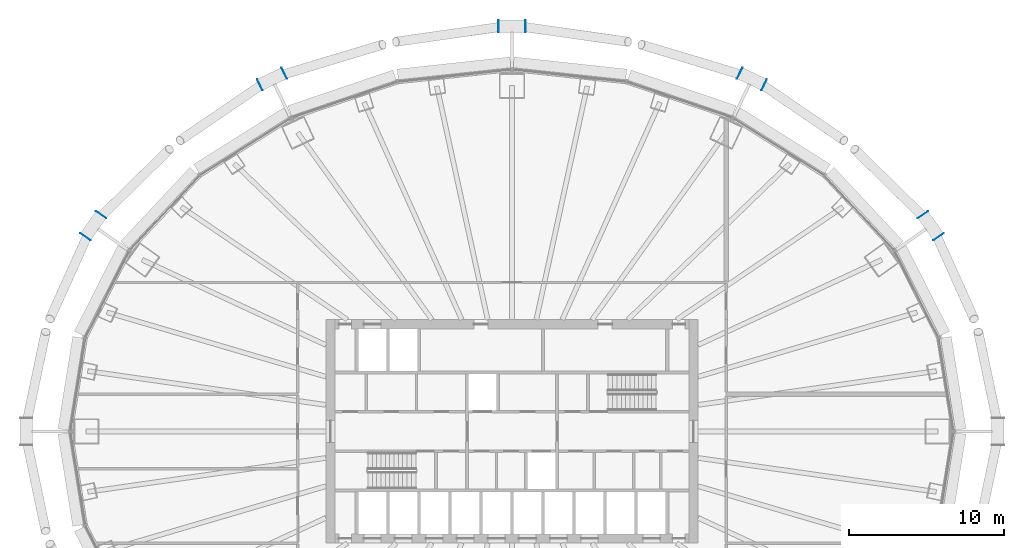
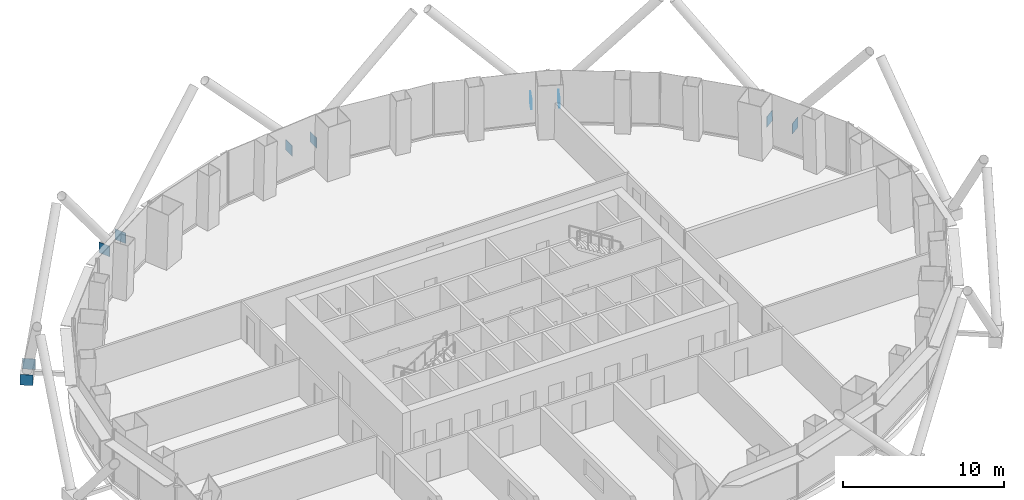
# One storey, part 12 of 16: 10 discrete accessories.
"""IFC4 building model written with IfcOpenShell, lengths in metres."""

from ifc_helpers import new_model, si_unit, direction, frame, origin, origin_2d, place, context, subcontext, project, spatial, rectangle, extrude, material, layer, layer_set, type_object, element, save


model = new_model("IFC4")

# Units and contexts
model_context = context("Model", 3, precision=1e-05, world=origin(), true_north=direction((0.0, 1.0)))
body_context = subcontext(model_context, "Body", "Model", "MODEL_VIEW")
ifc_project = project(units=[si_unit("LENGTHUNIT", "METRE"), si_unit("AREAUNIT", "SQUARE_METRE"), si_unit("VOLUMEUNIT", "CUBIC_METRE"), si_unit("PLANEANGLEUNIT", "RADIAN"), si_unit("MASSUNIT", "GRAM", prefix="KILO")], contexts=[model_context])

# Site, building, storey
site_placement = place(None, origin())
site = spatial("IfcSite", under=ifc_project, at=site_placement, CompositionType="ELEMENT")
building_placement = place(site_placement, origin())
building = spatial("IfcBuilding", under=site, at=building_placement, Name="Siaravel Broadcast Tower", CompositionType="ELEMENT")
storey_placement = place(building_placement, frame((0.0, 0.0, 28.699951171875)))
storey = spatial("IfcBuildingStorey", under=building, at=storey_placement, Name="L05", CompositionType="ELEMENT", Elevation=28.699951171875)

# Discrete accessories
ifc_material = material(Name="Steel S355", Category="steel")
ifc_layer = layer(ifc_material, 0.02001953125)
ifc_layer_set = layer_set([ifc_layer], Name="Steel S355")
discrete_accessory_type = type_object("IfcDiscreteAccessoryType", Name="Steel end plate 20 mm", PredefinedType="USERDEFINED", material=ifc_layer_set)
for number, where, z_axis, x_axis, name in (
    (1, (26.47802734375, 13.96337890625, -0.60009765625), (0.0, 0.0, 1.0), (-0.576119939, 0.817365167, 0.0), "End plate R03 station 06A"),
    (2, (27.481201171875, 12.54052734375, -0.60009765625), (0.0, 0.0, 1.0), (-0.576119939, 0.817365167, 0.0), "End plate R03 station 06B"),
    (3, (14.67431640625, 23.081298828125, -0.60009765625), (0.0, 0.0, 1.0), (-0.904007202, 0.427517227, 0.0), "End plate R03 station 12A"),
    (4, (16.248291015625, 22.3369140625, -0.60009765625), (0.0, 0.0, 1.0), (-0.904007202, 0.427517227, 0.0), "End plate R03 station 12B"),
    (5, (-0.87060546875, 26.108154296875, -0.60009765625), (0.0, 0.0, 1.0), (-1.0, 0.0, 0.0), "End plate R03 station 18A"),
    (6, (0.87060546875, 26.108154296875, -0.60009765625), (0.0, 0.0, 1.0), (-1.0, 0.0, 0.0), "End plate R03 station 18B"),
    (7, (-16.248291015625, 22.3369140625, -0.60009765625), (0.0, 0.0, 1.0), (-0.904007202, -0.427517227, 0.0), "End plate R03 station 24A"),
    (8, (-14.67431640625, 23.081298828125, -0.60009765625), (0.0, 0.0, 1.0), (-0.904007202, -0.427517227, 0.0), "End plate R03 station 24B"),
    (9, (-27.481201171875, 12.54052734375, -0.60009765625), (0.0, 0.0, 1.0), (-0.576119939, -0.817365167, 0.0), "End plate R03 station 30A"),
    (10, (-26.47802734375, 13.96337890625, -0.60009765625), (0.0, 0.0, 1.0), (-0.576119939, -0.817365167, 0.0), "End plate R03 station 30B"),
):
    element("IfcDiscreteAccessory", number, at=place(storey_placement, frame(where, z_axis=z_axis, x_axis=x_axis)), inside=storey, type_object=discrete_accessory_type, Name=name, ObjectType="END PLATE", PredefinedType="USERDEFINED", context=body_context, shape_type="SweptSolid", body=[
        extrude(rectangle(XDim=0.02001953125, YDim=0.800048828125, at=origin_2d()), origin(), (0.0, 0.0, 1.0), 0.800048828125),
    ])

save(model, "model.ifc")
